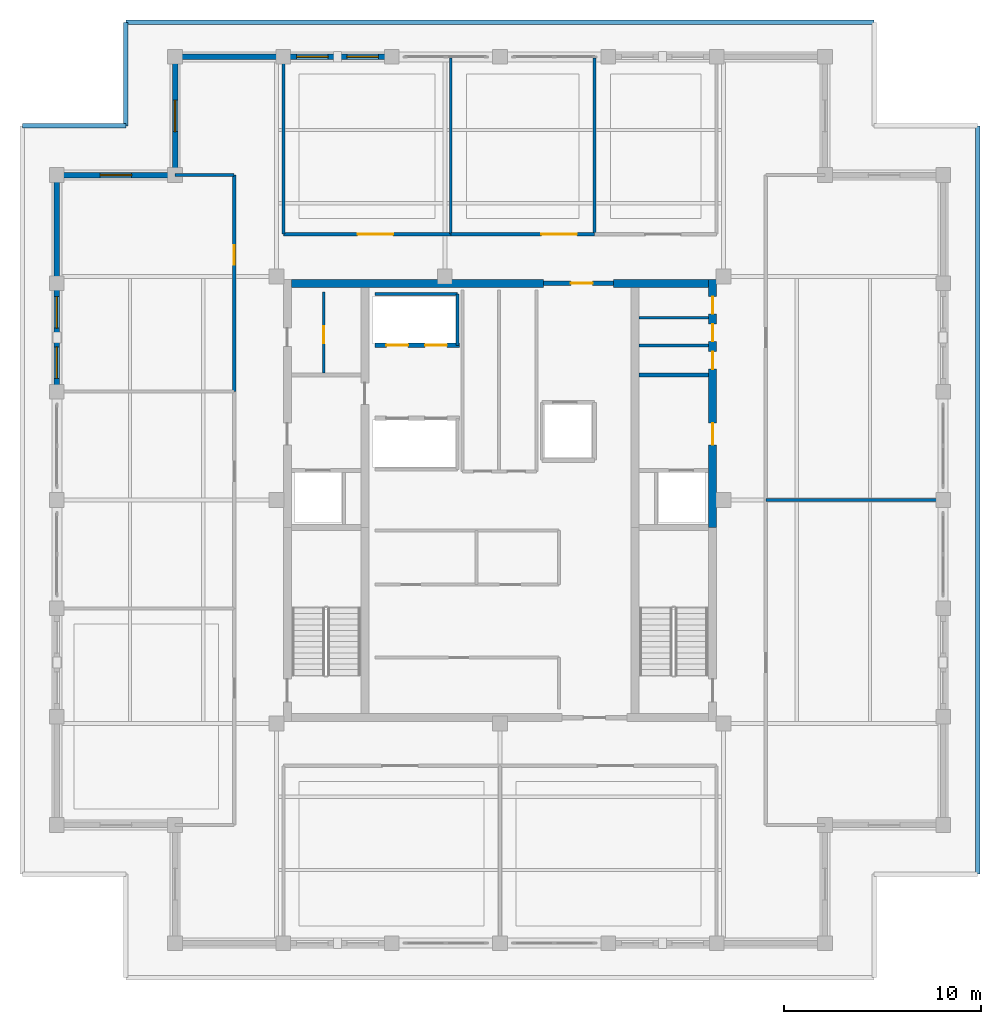
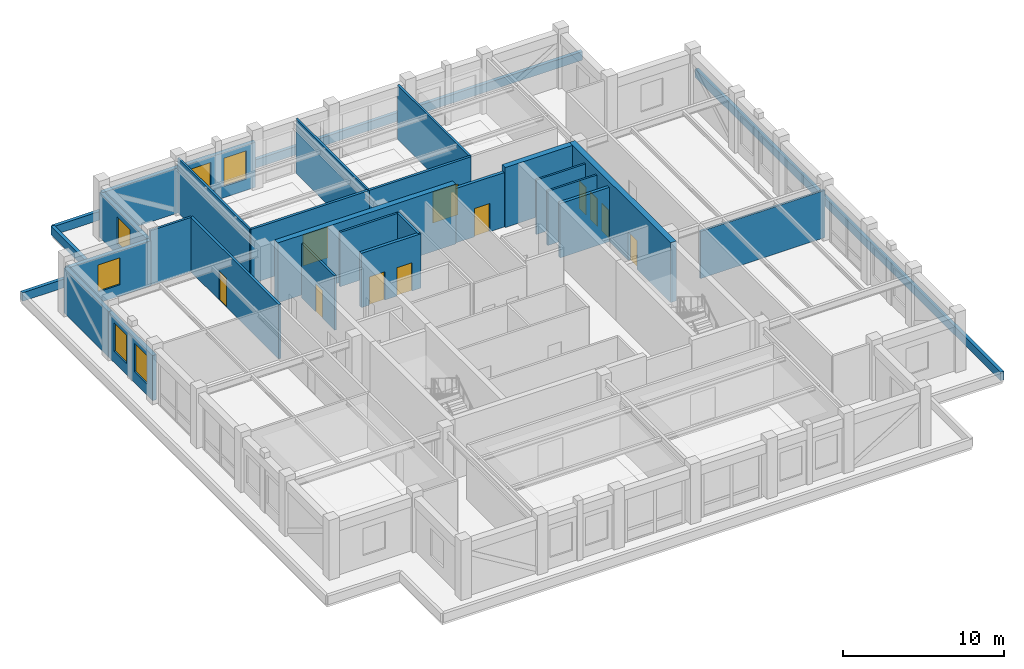
# One storey, part 9 of 13: 29 walls, 11 doors, 6 windows, 17 openings.
"""IFC4 building model written with IfcOpenShell, lengths in metres."""

from ifc_helpers import new_model, si_unit, direction, frame, frame_2d, origin, place, context, subcontext, project, spatial, rectangle, extrude, material, layer, layer_set, type_object, element, fill, save


model = new_model("IFC4")

# Units and contexts
model_context = context("Model", 3, precision=1e-05, world=origin(), true_north=direction((0.0, 1.0)))
body_context = subcontext(model_context, "Body", "Model", "MODEL_VIEW")
ifc_project = project(units=[si_unit("LENGTHUNIT", "METRE"), si_unit("AREAUNIT", "SQUARE_METRE"), si_unit("VOLUMEUNIT", "CUBIC_METRE"), si_unit("PLANEANGLEUNIT", "RADIAN"), si_unit("MASSUNIT", "GRAM", prefix="KILO")], contexts=[model_context])

# Site, building, storey
site_placement = place(None, origin())
site = spatial("IfcSite", under=ifc_project, at=site_placement, CompositionType="ELEMENT")
building_placement = place(site_placement, origin())
building = spatial("IfcBuilding", under=site, at=building_placement, Name="Nhamokura Convention Tower", CompositionType="ELEMENT")
storey_placement = place(building_placement, frame((0.0, 0.0, 257.60009765625)))
storey = spatial("IfcBuildingStorey", under=building, at=storey_placement, Name="L63", CompositionType="ELEMENT", Elevation=257.60009765625)

# Wall, opening, door
ifc_material_1 = material(Name="Moisture-resistant tile-backer partition", Category="masonry")
ifc_layer_1 = layer(ifc_material_1, 0.139892578125)
ifc_layer_set_1 = layer_set([ifc_layer_1], Name="BathroomWetWall_140")
wall_type_1 = type_object("IfcWallType", Name="BathroomWetWall_140", PredefinedType="STANDARD", material=ifc_layer_set_1)
wall_1_placement = place(storey_placement, frame((23.050048828125, 38.449951171875, 0.0), z_axis=(0.0, 0.0, 1.0), x_axis=(0.0, 1.0, 0.0)))
wall_1 = element("IfcWall", 1, at=wall_1_placement, inside=storey, type_object=wall_type_1, Name="L63 Wall INT-L63-CWNWV", PredefinedType="STANDARD", context=body_context, shape_type="SweptSolid", body=[
    extrude(rectangle(XDim=4.10009765625, YDim=0.139892578125, at=frame_2d((2.050048828125, 0.0))), origin(), (0.0, 0.0, 1.0), 4.1298828125),
])
opening_1_placement = place(wall_1_placement, frame((1.5, 0.0, 0.0)))
opening_1 = element("IfcOpeningElement", 2, at=opening_1_placement, cuts=wall_1, Name="Opening D-11", PredefinedType="OPENING", context=body_context, shape_type="SweptSolid", body=[
    extrude(rectangle(XDim=0.8798828125, YDim=2.10009765625, at=frame_2d((0.43994140625, 1.050048828125))), frame((0.0, 0.079833984375, 0.0), z_axis=(0.0, -1.0, 0.0), x_axis=(1.0, 0.0, 0.0)), (0.0, 0.0, 1.0), 0.159912109375),
])
ifc_material_2 = material(Name="Solid oak hardwood", Category="wood")
door_type_1 = type_object("IfcDoorType", Name="BathroomDoor_880", OperationType="NOTDEFINED", PredefinedType="DOOR", material=ifc_material_2)
door_1_placement = place(opening_1_placement, origin())
door_1 = element("IfcDoor", 3, at=door_1_placement, inside=storey, type_object=door_type_1, Name="L63 Inner Store Door", OperationType="SINGLE_SWING_LEFT", OverallHeight=2.10009765625, OverallWidth=0.8798828125, PredefinedType="DOOR", context=body_context, shape_type="SweptSolid", body=[
    extrude(rectangle(XDim=0.8798828125, YDim=2.10009765625, at=frame_2d((0.43994140625, 1.050048828125))), frame((0.0, 0.02490234375, 0.0), z_axis=(0.0, -1.0, 0.0), x_axis=(1.0, 0.0, 0.0)), (0.0, 0.0, 1.0), 0.050048828125),
])
fill(opening_1, door_1)

# Walls
for number, where, z_axis, x_axis, name in (
    (4, (39.06005859375, 39.85009765625, 0.0), (0.0, 0.0, 1.0), (1.0, 0.0, 0.0), "L63 Wall INT-L63-CWNE1"),
    (5, (39.06005859375, 41.25, 0.0), (0.0, 0.0, 1.0), (1.0, 0.0, 0.0), "L63 Wall INT-L63-CWNE2"),
):
    element("IfcWall", number, at=place(storey_placement, frame(where, z_axis=z_axis, x_axis=x_axis)), inside=storey, type_object=wall_type_1, Name=name, PredefinedType="STANDARD", context=body_context, shape_type="SweptSolid", body=[
        extrude(rectangle(XDim=3.530029296875, YDim=0.139892578125, at=frame_2d((1.76513671875, 0.0))), origin(), (0.0, 0.0, 1.0), 4.1298828125),
    ])
ifc_material_3 = material(Name="Bronze-pigmented precast concrete C45/55", Category="concrete")
ifc_layer_2 = layer(ifc_material_3, 0.280029296875)
ifc_layer_set_2 = layer_set([ifc_layer_2], Name="BronzePrecastSpandrel_280")
wall_type_2 = type_object("IfcWallType", Name="BronzePrecastSpandrel_280", PredefinedType="USERDEFINED", material=ifc_layer_set_2)
wall_2_placement = place(storey_placement, frame((15.5, 54.5, 0.0), z_axis=(0.0, 0.0, 1.0), x_axis=(1.0, 0.0, 0.0)))
element("IfcWall", 6, at=wall_2_placement, inside=storey, type_object=wall_type_2, Name="L63 Braced-Bay Precast Wall NORTH 0", ObjectType="SPANDREL_WALL", PredefinedType="USERDEFINED", context=body_context, shape_type="SweptSolid", body=[
    extrude(rectangle(XDim=5.5, YDim=0.280029296875, at=frame_2d((2.75, 0.0))), origin(), (0.0, 0.0, 1.0), 3.429931640625),
])

# Wall, openings, windows
wall_3_placement = place(storey_placement, frame((21.0, 54.5, 0.0), z_axis=(0.0, 0.0, 1.0), x_axis=(1.0, 0.0, 0.0)))
wall_3 = element("IfcWall", 7, at=wall_3_placement, inside=storey, type_object=wall_type_2, Name="L63 Masonry-Frame Wall NORTH 1", ObjectType="SPANDREL_WALL", PredefinedType="USERDEFINED", context=body_context, shape_type="SweptSolid", body=[
    extrude(rectangle(XDim=5.5, YDim=0.280029296875, at=frame_2d((2.75, 0.0))), origin(), (0.0, 0.0, 1.0), 3.429931640625),
])
opening_2_placement = place(wall_3_placement, frame((0.675048828125, 0.0, 0.85009765625)))
opening_2 = element("IfcOpeningElement", 8, at=opening_2_placement, cuts=wall_3, Name="Opening W-11", PredefinedType="OPENING", context=body_context, shape_type="SweptSolid", body=[
    extrude(rectangle(XDim=1.60009765625, YDim=2.14990234375, at=frame_2d((0.800048828125, 1.074951171875))), frame((0.0, 0.14990234375, 0.0), z_axis=(0.0, -1.0, 0.0), x_axis=(1.0, 0.0, 0.0)), (0.0, 0.0, 1.0), 0.300048828125),
])
opening_3_placement = place(wall_3_placement, frame((3.22509765625, 0.0, 0.85009765625)))
opening_3 = element("IfcOpeningElement", 9, at=opening_3_placement, cuts=wall_3, Name="Opening W-11", PredefinedType="OPENING", context=body_context, shape_type="SweptSolid", body=[
    extrude(rectangle(XDim=1.60009765625, YDim=2.14990234375, at=frame_2d((0.800048828125, 1.074951171875))), frame((0.0, 0.14990234375, 0.0), z_axis=(0.0, -1.0, 0.0), x_axis=(1.0, 0.0, 0.0)), (0.0, 0.0, 1.0), 0.300048828125),
])
ifc_material_4 = material(Name="Solar-control bronze low-E double glass", Category="glass")
window_type = type_object("IfcWindowType", Name="NotchCornerWindow_1600", PartitioningType="SINGLE_PANEL", PredefinedType="WINDOW", material=ifc_material_4)
window_1_placement = place(opening_2_placement, origin())
window_1 = element("IfcWindow", 10, at=window_1_placement, inside=storey, type_object=window_type, Name="L63 Facade Window NORTH 1-1", OverallHeight=2.14990234375, OverallWidth=1.60009765625, PartitioningType="SINGLE_PANEL", PredefinedType="WINDOW", context=body_context, shape_type="SweptSolid", body=[
    extrude(rectangle(XDim=1.60009765625, YDim=2.14990234375, at=frame_2d((0.800048828125, 1.074951171875))), frame((0.0, 0.030029296875, 0.0), z_axis=(0.0, -1.0, 0.0), x_axis=(1.0, 0.0, 0.0)), (0.0, 0.0, 1.0), 0.06005859375),
])
fill(opening_2, window_1)
window_2_placement = place(opening_3_placement, origin())
window_2 = element("IfcWindow", 11, at=window_2_placement, inside=storey, type_object=window_type, Name="L63 Facade Window NORTH 1-2", OverallHeight=2.14990234375, OverallWidth=1.60009765625, PartitioningType="SINGLE_PANEL", PredefinedType="WINDOW", context=body_context, shape_type="SweptSolid", body=[
    extrude(rectangle(XDim=1.60009765625, YDim=2.14990234375, at=frame_2d((0.800048828125, 1.074951171875))), frame((0.0, 0.030029296875, 0.0), z_axis=(0.0, -1.0, 0.0), x_axis=(1.0, 0.0, 0.0)), (0.0, 0.0, 1.0), 0.06005859375),
])
fill(opening_3, window_2)

wall_4_placement = place(storey_placement, frame((9.5, 37.5, 0.0), z_axis=(0.0, 0.0, 1.0), x_axis=(0.0, 1.0, 0.0)))
wall_4 = element("IfcWall", 12, at=wall_4_placement, inside=storey, type_object=wall_type_2, Name="L63 Masonry-Frame Wall WEST 4", ObjectType="SPANDREL_WALL", PredefinedType="USERDEFINED", context=body_context, shape_type="SweptSolid", body=[
    extrude(rectangle(XDim=5.5, YDim=0.280029296875, at=frame_2d((2.75, 0.0))), origin(), (0.0, 0.0, 1.0), 3.429931640625),
])
opening_4_placement = place(wall_4_placement, frame((0.675048828125, 0.0, 0.85009765625)))
opening_4 = element("IfcOpeningElement", 13, at=opening_4_placement, cuts=wall_4, Name="Opening W-11", PredefinedType="OPENING", context=body_context, shape_type="SweptSolid", body=[
    extrude(rectangle(XDim=1.60009765625, YDim=2.14990234375, at=frame_2d((0.800048828125, 1.074951171875))), frame((0.0, 0.14990234375, 0.0), z_axis=(0.0, -1.0, 0.0), x_axis=(1.0, 0.0, 0.0)), (0.0, 0.0, 1.0), 0.300048828125),
])
opening_5_placement = place(wall_4_placement, frame((3.22509765625, 0.0, 0.85009765625)))
opening_5 = element("IfcOpeningElement", 14, at=opening_5_placement, cuts=wall_4, Name="Opening W-11", PredefinedType="OPENING", context=body_context, shape_type="SweptSolid", body=[
    extrude(rectangle(XDim=1.60009765625, YDim=2.14990234375, at=frame_2d((0.800048828125, 1.074951171875))), frame((0.0, 0.14990234375, 0.0), z_axis=(0.0, -1.0, 0.0), x_axis=(1.0, 0.0, 0.0)), (0.0, 0.0, 1.0), 0.300048828125),
])
window_3_placement = place(opening_4_placement, origin())
window_3 = element("IfcWindow", 15, at=window_3_placement, inside=storey, type_object=window_type, Name="L63 Facade Window WEST 4-1", OverallHeight=2.14990234375, OverallWidth=1.60009765625, PartitioningType="SINGLE_PANEL", PredefinedType="WINDOW", context=body_context, shape_type="SweptSolid", body=[
    extrude(rectangle(XDim=1.60009765625, YDim=2.14990234375, at=frame_2d((0.800048828125, 1.074951171875))), frame((0.0, 0.030029296875, 0.0), z_axis=(0.0, -1.0, 0.0), x_axis=(1.0, 0.0, 0.0)), (0.0, 0.0, 1.0), 0.06005859375),
])
fill(opening_4, window_3)
window_4_placement = place(opening_5_placement, origin())
window_4 = element("IfcWindow", 16, at=window_4_placement, inside=storey, type_object=window_type, Name="L63 Facade Window WEST 4-2", OverallHeight=2.14990234375, OverallWidth=1.60009765625, PartitioningType="SINGLE_PANEL", PredefinedType="WINDOW", context=body_context, shape_type="SweptSolid", body=[
    extrude(rectangle(XDim=1.60009765625, YDim=2.14990234375, at=frame_2d((0.800048828125, 1.074951171875))), frame((0.0, 0.030029296875, 0.0), z_axis=(0.0, -1.0, 0.0), x_axis=(1.0, 0.0, 0.0)), (0.0, 0.0, 1.0), 0.06005859375),
])
fill(opening_5, window_4)

# Wall
wall_5_placement = place(storey_placement, frame((9.5, 43.0, 0.0), z_axis=(0.0, 0.0, 1.0), x_axis=(0.0, 1.0, 0.0)))
element("IfcWall", 17, at=wall_5_placement, inside=storey, type_object=wall_type_2, Name="L63 Braced-Bay Precast Wall WEST 5", ObjectType="SPANDREL_WALL", PredefinedType="USERDEFINED", context=body_context, shape_type="SweptSolid", body=[
    extrude(rectangle(XDim=5.5, YDim=0.280029296875, at=frame_2d((2.75, 0.0))), origin(), (0.0, 0.0, 1.0), 3.429931640625),
])

# Wall, opening, window
wall_6_placement = place(storey_placement, frame((15.5, 48.5, 0.0), z_axis=(0.0, 0.0, 1.0), x_axis=(0.0, 1.0, 0.0)))
wall_6 = element("IfcWall", 18, at=wall_6_placement, inside=storey, type_object=wall_type_2, Name="L63 Notched Corner Wall NW1", ObjectType="SPANDREL_WALL", PredefinedType="USERDEFINED", context=body_context, shape_type="SweptSolid", body=[
    extrude(rectangle(XDim=6.0, YDim=0.280029296875, at=frame_2d((3.0, 0.0))), origin(), (0.0, 0.0, 1.0), 3.429931640625),
])
opening_6_placement = place(wall_6_placement, frame((2.199951171875, 0.0, 0.85009765625)))
opening_6 = element("IfcOpeningElement", 19, at=opening_6_placement, cuts=wall_6, Name="Opening W-11", PredefinedType="OPENING", context=body_context, shape_type="SweptSolid", body=[
    extrude(rectangle(XDim=1.60009765625, YDim=2.050048828125, at=frame_2d((0.800048828125, 1.02490234375))), frame((0.0, 0.14990234375, 0.0), z_axis=(0.0, -1.0, 0.0), x_axis=(1.0, 0.0, 0.0)), (0.0, 0.0, 1.0), 0.300048828125),
])
window_5_placement = place(opening_6_placement, origin())
window_5 = element("IfcWindow", 20, at=window_5_placement, inside=storey, type_object=window_type, Name="L63 Notched Corner Window NW1", OverallHeight=2.050048828125, OverallWidth=1.60009765625, PartitioningType="SINGLE_PANEL", PredefinedType="WINDOW", context=body_context, shape_type="SweptSolid", body=[
    extrude(rectangle(XDim=1.60009765625, YDim=2.050048828125, at=frame_2d((0.800048828125, 1.02490234375))), frame((0.0, 0.030029296875, 0.0), z_axis=(0.0, -1.0, 0.0), x_axis=(1.0, 0.0, 0.0)), (0.0, 0.0, 1.0), 0.06005859375),
])
fill(opening_6, window_5)

wall_7_placement = place(storey_placement, frame((9.5, 48.5, 0.0), z_axis=(0.0, 0.0, 1.0), x_axis=(1.0, 0.0, 0.0)))
wall_7 = element("IfcWall", 21, at=wall_7_placement, inside=storey, type_object=wall_type_2, Name="L63 Notched Corner Wall NW2", ObjectType="SPANDREL_WALL", PredefinedType="USERDEFINED", context=body_context, shape_type="SweptSolid", body=[
    extrude(rectangle(XDim=6.0, YDim=0.280029296875, at=frame_2d((3.0, 0.0))), origin(), (0.0, 0.0, 1.0), 3.429931640625),
])
opening_7_placement = place(wall_7_placement, frame((2.199951171875, 0.0, 0.85009765625)))
opening_7 = element("IfcOpeningElement", 22, at=opening_7_placement, cuts=wall_7, Name="Opening W-11", PredefinedType="OPENING", context=body_context, shape_type="SweptSolid", body=[
    extrude(rectangle(XDim=1.60009765625, YDim=2.050048828125, at=frame_2d((0.800048828125, 1.02490234375))), frame((0.0, 0.14990234375, 0.0), z_axis=(0.0, -1.0, 0.0), x_axis=(1.0, 0.0, 0.0)), (0.0, 0.0, 1.0), 0.300048828125),
])
window_6_placement = place(opening_7_placement, origin())
window_6 = element("IfcWindow", 23, at=window_6_placement, inside=storey, type_object=window_type, Name="L63 Notched Corner Window NW2", OverallHeight=2.050048828125, OverallWidth=1.60009765625, PartitioningType="SINGLE_PANEL", PredefinedType="WINDOW", context=body_context, shape_type="SweptSolid", body=[
    extrude(rectangle(XDim=1.60009765625, YDim=2.050048828125, at=frame_2d((0.800048828125, 1.02490234375))), frame((0.0, 0.030029296875, 0.0), z_axis=(0.0, -1.0, 0.0), x_axis=(1.0, 0.0, 0.0)), (0.0, 0.0, 1.0), 0.06005859375),
])
fill(opening_7, window_6)

# Wall, openings, doors
ifc_material_5 = material(Name="Concrete C50/60", Category="concrete")
ifc_layer_3 = layer(ifc_material_5, 0.39990234375)
ifc_layer_set_3 = layer_set([ifc_layer_3], Name="CoreShearWall_400")
wall_type_3 = type_object("IfcWallType", Name="CoreShearWall_400", PredefinedType="SHEAR", material=ifc_layer_set_3)
wall_8_placement = place(storey_placement, frame((42.7900390625, 30.60009765625, 0.0), z_axis=(0.0, 0.0, 1.0), x_axis=(0.0, 1.0, 0.0)))
wall_8 = element("IfcWall", 24, at=wall_8_placement, inside=storey, type_object=wall_type_3, Name="L63 Core Shear Wall CW-EN", PredefinedType="SHEAR", context=body_context, shape_type="SweptSolid", body=[
    extrude(rectangle(XDim=12.599853515625, YDim=0.39990234375, at=frame_2d((6.2998046875, 0.0))), origin(), (0.0, 0.0, 1.0), 4.5498046875),
])
opening_8_placement = place(wall_8_placement, frame((4.199951171875, 0.0, 0.0)))
opening_8 = element("IfcOpeningElement", 25, at=opening_8_placement, cuts=wall_8, Name="Opening D-05", PredefinedType="OPENING", context=body_context, shape_type="SweptSolid", body=[
    extrude(rectangle(XDim=1.10009765625, YDim=2.14990234375, at=frame_2d((0.550048828125, 1.074951171875))), frame((0.0, 0.2099609375, 0.0), z_axis=(0.0, -1.0, 0.0), x_axis=(1.0, 0.0, 0.0)), (0.0, 0.0, 1.0), 0.419921875),
])
opening_9_placement = place(wall_8_placement, frame((8.050048828125, 0.0, 0.0)))
opening_9 = element("IfcOpeningElement", 26, at=opening_9_placement, cuts=wall_8, Name="Opening D-11", PredefinedType="OPENING", context=body_context, shape_type="SweptSolid", body=[
    extrude(rectangle(XDim=0.8798828125, YDim=2.10009765625, at=frame_2d((0.43994140625, 1.050048828125))), frame((0.0, 0.2099609375, 0.0), z_axis=(0.0, -1.0, 0.0), x_axis=(1.0, 0.0, 0.0)), (0.0, 0.0, 1.0), 0.419921875),
])
opening_10_placement = place(wall_8_placement, frame((9.449951171875, 0.0, 0.0)))
opening_10 = element("IfcOpeningElement", 27, at=opening_10_placement, cuts=wall_8, Name="Opening D-11", PredefinedType="OPENING", context=body_context, shape_type="SweptSolid", body=[
    extrude(rectangle(XDim=0.8798828125, YDim=2.10009765625, at=frame_2d((0.43994140625, 1.050048828125))), frame((0.0, 0.2099609375, 0.0), z_axis=(0.0, -1.0, 0.0), x_axis=(1.0, 0.0, 0.0)), (0.0, 0.0, 1.0), 0.419921875),
])
opening_11_placement = place(wall_8_placement, frame((10.85009765625, 0.0, 0.0)))
opening_11 = element("IfcOpeningElement", 28, at=opening_11_placement, cuts=wall_8, Name="Opening D-11", PredefinedType="OPENING", context=body_context, shape_type="SweptSolid", body=[
    extrude(rectangle(XDim=0.8798828125, YDim=2.10009765625, at=frame_2d((0.43994140625, 1.050048828125))), frame((0.0, 0.2099609375, 0.0), z_axis=(0.0, -1.0, 0.0), x_axis=(1.0, 0.0, 0.0)), (0.0, 0.0, 1.0), 0.419921875),
])
door_2_placement = place(opening_9_placement, origin())
door_2 = element("IfcDoor", 29, at=door_2_placement, inside=storey, type_object=door_type_1, Name="L63 Core Door INT-L63-D-MWC", OperationType="SINGLE_SWING_LEFT", OverallHeight=2.10009765625, OverallWidth=0.8798828125, PredefinedType="DOOR", context=body_context, shape_type="SweptSolid", body=[
    extrude(rectangle(XDim=0.8798828125, YDim=2.10009765625, at=frame_2d((0.43994140625, 1.050048828125))), frame((0.0, 0.02490234375, 0.0), z_axis=(0.0, -1.0, 0.0), x_axis=(1.0, 0.0, 0.0)), (0.0, 0.0, 1.0), 0.050048828125),
])
fill(opening_9, door_2)
door_3_placement = place(opening_10_placement, origin())
door_3 = element("IfcDoor", 30, at=door_3_placement, inside=storey, type_object=door_type_1, Name="L63 Core Door INT-L63-D-FWC", OperationType="SINGLE_SWING_RIGHT", OverallHeight=2.10009765625, OverallWidth=0.8798828125, PredefinedType="DOOR", context=body_context, shape_type="SweptSolid", body=[
    extrude(rectangle(XDim=0.8798828125, YDim=2.10009765625, at=frame_2d((0.43994140625, 1.050048828125))), frame((0.0, 0.02490234375, 0.0), z_axis=(0.0, -1.0, 0.0), x_axis=(1.0, 0.0, 0.0)), (0.0, 0.0, 1.0), 0.050048828125),
])
fill(opening_10, door_3)
door_4_placement = place(opening_11_placement, origin())
door_4 = element("IfcDoor", 31, at=door_4_placement, inside=storey, type_object=door_type_1, Name="L63 Core Door INT-L63-D-ARC", OperationType="SINGLE_SWING_LEFT", OverallHeight=2.10009765625, OverallWidth=0.8798828125, PredefinedType="DOOR", context=body_context, shape_type="SweptSolid", body=[
    extrude(rectangle(XDim=0.8798828125, YDim=2.10009765625, at=frame_2d((0.43994140625, 1.050048828125))), frame((0.0, 0.02490234375, 0.0), z_axis=(0.0, -1.0, 0.0), x_axis=(1.0, 0.0, 0.0)), (0.0, 0.0, 1.0), 0.050048828125),
])
fill(opening_11, door_4)
ifc_material_6 = material(Name="Fire-rated steel door", Category="steel")
door_type_2 = type_object("IfcDoorType", Name="FireLobbyDoor_1100", OperationType="NOTDEFINED", PredefinedType="DOOR", material=ifc_material_6)
door_5_placement = place(opening_8_placement, origin())
door_5 = element("IfcDoor", 32, at=door_5_placement, inside=storey, type_object=door_type_2, Name="L63 Core Door INT-L63-D-FFLE", OperationType="SINGLE_SWING_LEFT", OverallHeight=2.14990234375, OverallWidth=1.10009765625, PredefinedType="DOOR", context=body_context, shape_type="SweptSolid", body=[
    extrude(rectangle(XDim=1.10009765625, YDim=2.14990234375, at=frame_2d((0.550048828125, 1.074951171875))), frame((0.0, 0.02490234375, 0.0), z_axis=(0.0, -1.0, 0.0), x_axis=(1.0, 0.0, 0.0)), (0.0, 0.0, 1.0), 0.050048828125),
])
fill(opening_8, door_5)

# Walls
wall_9_placement = place(storey_placement, frame((21.409912109375, 43.0, 0.0), z_axis=(0.0, 0.0, 1.0), x_axis=(1.0, 0.0, 0.0)))
element("IfcWall", 33, at=wall_9_placement, inside=storey, type_object=wall_type_3, Name="L63 Core Shear Wall CW-N1", PredefinedType="SHEAR", context=body_context, shape_type="SweptSolid", body=[
    extrude(rectangle(XDim=12.7900390625, YDim=0.39990234375, at=frame_2d((6.39501953125, 0.0))), origin(), (0.0, 0.0, 1.0), 4.5498046875),
])
wall_10_placement = place(storey_placement, frame((37.75, 43.0, 0.0), z_axis=(0.0, 0.0, 1.0), x_axis=(1.0, 0.0, 0.0)))
element("IfcWall", 34, at=wall_10_placement, inside=storey, type_object=wall_type_3, Name="L63 Core Shear Wall CW-N2", PredefinedType="SHEAR", context=body_context, shape_type="SweptSolid", body=[
    extrude(rectangle(XDim=4.840087890625, YDim=0.39990234375, at=frame_2d((2.419921875, 0.0))), origin(), (0.0, 0.0, 1.0), 4.5498046875),
])

# Wall, opening, door
ifc_material_7 = material(Name="Fire-rated gypsum and masonry partition", Category="masonry")
ifc_layer_4 = layer(ifc_material_7, 0.179931640625)
ifc_layer_set_4 = layer_set([ifc_layer_4], Name="CorridorRatedWall_180")
wall_type_4 = type_object("IfcWallType", Name="CorridorRatedWall_180", PredefinedType="STANDARD", material=ifc_layer_set_4)
wall_11_placement = place(storey_placement, frame((21.0, 45.5, 0.0), z_axis=(0.0, 0.0, 1.0), x_axis=(1.0, 0.0, 0.0)))
wall_11 = element("IfcWall", 35, at=wall_11_placement, inside=storey, type_object=wall_type_4, Name="L63 Wall INT-L63-CW-N00", PredefinedType="STANDARD", context=body_context, shape_type="SweptSolid", body=[
    extrude(rectangle(XDim=8.5, YDim=0.179931640625, at=frame_2d((4.25, 0.0))), origin(), (0.0, 0.0, 1.0), 4.1298828125),
])
opening_12_placement = place(wall_11_placement, frame((3.77490234375, 0.0, 0.0)))
opening_12 = element("IfcOpeningElement", 36, at=opening_12_placement, cuts=wall_11, Name="Opening D-03", PredefinedType="OPENING", context=body_context, shape_type="SweptSolid", body=[
    extrude(rectangle(XDim=1.800048828125, YDim=2.35009765625, at=frame_2d((0.89990234375, 1.175048828125))), frame((0.0, 0.099853515625, 0.0), z_axis=(0.0, -1.0, 0.0), x_axis=(1.0, 0.0, 0.0)), (0.0, 0.0, 1.0), 0.199951171875),
])
ifc_material_8 = material(Name="Solid oak hardwood", Category="wood")
door_type_3 = type_object("IfcDoorType", Name="BallroomDoubleDoor_1800", OperationType="DOUBLE_DOOR_SINGLE_SWING", PredefinedType="DOOR", material=ifc_material_8)
door_6_placement = place(opening_12_placement, origin())
door_6 = element("IfcDoor", 37, at=door_6_placement, inside=storey, type_object=door_type_3, Name="L63 Private Office N01 Door", OperationType="SINGLE_SWING_LEFT", OverallHeight=2.35009765625, OverallWidth=1.800048828125, PredefinedType="DOOR", context=body_context, shape_type="SweptSolid", body=[
    extrude(rectangle(XDim=1.800048828125, YDim=2.35009765625, at=frame_2d((0.89990234375, 1.175048828125))), frame((0.0, 0.02490234375, 0.0), z_axis=(0.0, -1.0, 0.0), x_axis=(1.0, 0.0, 0.0)), (0.0, 0.0, 1.0), 0.050048828125),
])
fill(opening_12, door_6)

wall_12_placement = place(storey_placement, frame((29.5, 45.5, 0.0), z_axis=(0.0, 0.0, 1.0), x_axis=(1.0, 0.0, 0.0)))
wall_12 = element("IfcWall", 38, at=wall_12_placement, inside=storey, type_object=wall_type_4, Name="L63 Wall INT-L63-CW-N01", PredefinedType="STANDARD", context=body_context, shape_type="SweptSolid", body=[
    extrude(rectangle(XDim=7.300048828125, YDim=0.179931640625, at=frame_2d((3.64990234375, 0.0))), origin(), (0.0, 0.0, 1.0), 4.1298828125),
])
opening_13_placement = place(wall_12_placement, frame((4.60009765625, 0.0, 0.0)))
opening_13 = element("IfcOpeningElement", 39, at=opening_13_placement, cuts=wall_12, Name="Opening D-03", PredefinedType="OPENING", context=body_context, shape_type="SweptSolid", body=[
    extrude(rectangle(XDim=1.800048828125, YDim=2.35009765625, at=frame_2d((0.89990234375, 1.175048828125))), frame((0.0, 0.099853515625, 0.0), z_axis=(0.0, -1.0, 0.0), x_axis=(1.0, 0.0, 0.0)), (0.0, 0.0, 1.0), 0.199951171875),
])
door_7_placement = place(opening_13_placement, origin())
door_7 = element("IfcDoor", 40, at=door_7_placement, inside=storey, type_object=door_type_3, Name="L63 Meeting Room N02 Door", OperationType="SINGLE_SWING_RIGHT", OverallHeight=2.35009765625, OverallWidth=1.800048828125, PredefinedType="DOOR", context=body_context, shape_type="SweptSolid", body=[
    extrude(rectangle(XDim=1.800048828125, YDim=2.35009765625, at=frame_2d((0.89990234375, 1.175048828125))), frame((0.0, 0.02490234375, 0.0), z_axis=(0.0, -1.0, 0.0), x_axis=(1.0, 0.0, 0.0)), (0.0, 0.0, 1.0), 0.050048828125),
])
fill(opening_13, door_7)

wall_13_placement = place(storey_placement, frame((18.5, 37.5, 0.0), z_axis=(0.0, 0.0, 1.0), x_axis=(0.0, 1.0, 0.0)))
wall_13 = element("IfcWall", 41, at=wall_13_placement, inside=storey, type_object=wall_type_4, Name="L63 Wall INT-L63-CW-W02", PredefinedType="STANDARD", context=body_context, shape_type="SweptSolid", body=[
    extrude(rectangle(XDim=11.0, YDim=0.179931640625, at=frame_2d((5.5, 0.0))), origin(), (0.0, 0.0, 1.0), 4.1298828125),
])
opening_14_placement = place(wall_13_placement, frame((6.449951171875, 0.0, 0.0)))
opening_14 = element("IfcOpeningElement", 42, at=opening_14_placement, cuts=wall_13, Name="Opening D-08", PredefinedType="OPENING", context=body_context, shape_type="SweptSolid", body=[
    extrude(rectangle(XDim=0.97998046875, YDim=2.199951171875, at=frame_2d((0.489990234375, 1.10009765625))), frame((0.0, 0.099853515625, 0.0), z_axis=(0.0, -1.0, 0.0), x_axis=(1.0, 0.0, 0.0)), (0.0, 0.0, 1.0), 0.199951171875),
])
ifc_material_9 = material(Name="Solid oak hardwood", Category="wood")
door_type_4 = type_object("IfcDoorType", Name="OfficeEntryDoor_980", OperationType="NOTDEFINED", PredefinedType="DOOR", material=ifc_material_9)
door_8_placement = place(opening_14_placement, origin())
door_8 = element("IfcDoor", 43, at=door_8_placement, inside=storey, type_object=door_type_4, Name="L63 Private Office W03 Door", OperationType="SINGLE_SWING_LEFT", OverallHeight=2.199951171875, OverallWidth=0.97998046875, PredefinedType="DOOR", context=body_context, shape_type="SweptSolid", body=[
    extrude(rectangle(XDim=0.97998046875, YDim=2.199951171875, at=frame_2d((0.489990234375, 1.10009765625))), frame((0.0, 0.02490234375, 0.0), z_axis=(0.0, -1.0, 0.0), x_axis=(1.0, 0.0, 0.0)), (0.0, 0.0, 1.0), 0.050048828125),
])
fill(opening_14, door_8)

# Wall
ifc_material_10 = material(Name="Autoclaved concrete blockwork", Category="masonry")
ifc_layer_5 = layer(ifc_material_10, 0.219970703125)
ifc_layer_set_5 = layer_set([ifc_layer_5], Name="FireLobbyWall_220")
wall_type_5 = type_object("IfcWallType", Name="FireLobbyWall_220", PredefinedType="STANDARD", material=ifc_layer_set_5)
wall_14_placement = place(storey_placement, frame((39.06005859375, 38.35009765625, 0.0), z_axis=(0.0, 0.0, 1.0), x_axis=(1.0, 0.0, 0.0)))
element("IfcWall", 44, at=wall_14_placement, inside=storey, type_object=wall_type_5, Name="L63 Wall INT-L63-FFE-N", PredefinedType="STANDARD", context=body_context, shape_type="SweptSolid", body=[
    extrude(rectangle(XDim=3.530029296875, YDim=0.219970703125, at=frame_2d((1.76513671875, 0.0))), origin(), (0.0, 0.0, 1.0), 4.1298828125),
])

# Wall, openings, doors
wall_15_placement = place(storey_placement, frame((25.64990234375, 39.85009765625, 0.0), z_axis=(0.0, 0.0, 1.0), x_axis=(1.0, 0.0, 0.0)))
wall_15 = element("IfcWall", 45, at=wall_15_placement, inside=storey, type_object=wall_type_5, Name="L63 Wall INT-L63-B3N", PredefinedType="STANDARD", context=body_context, shape_type="SweptSolid", body=[
    extrude(rectangle(XDim=4.300048828125, YDim=0.219970703125, at=frame_2d((2.14990234375, 0.0))), origin(), (0.0, 0.0, 1.0), 4.1298828125),
])
opening_15_placement = place(wall_15_placement, frame((0.580078125, 0.0, 0.0)))
opening_15 = element("IfcOpeningElement", 46, at=opening_15_placement, cuts=wall_15, Name="Opening LD-01", PredefinedType="OPENING", context=body_context, shape_type="SweptSolid", body=[
    extrude(rectangle(XDim=1.10009765625, YDim=2.14990234375, at=frame_2d((0.550048828125, 1.074951171875))), frame((0.0, 0.119873046875, 0.0), z_axis=(0.0, -1.0, 0.0), x_axis=(1.0, 0.0, 0.0)), (0.0, 0.0, 1.0), 0.239990234375),
])
opening_16_placement = place(wall_15_placement, frame((2.550048828125, 0.0, 0.0)))
opening_16 = element("IfcOpeningElement", 47, at=opening_16_placement, cuts=wall_15, Name="Opening LD-01", PredefinedType="OPENING", context=body_context, shape_type="SweptSolid", body=[
    extrude(rectangle(XDim=1.10009765625, YDim=2.14990234375, at=frame_2d((0.550048828125, 1.074951171875))), frame((0.0, 0.119873046875, 0.0), z_axis=(0.0, -1.0, 0.0), x_axis=(1.0, 0.0, 0.0)), (0.0, 0.0, 1.0), 0.239990234375),
])
ifc_material_11 = material(Name="Anodised bronze stainless steel", Category="steel")
door_type_5 = type_object("IfcDoorType", Name="LiftLandingDoor_Passenger", OperationType="DOUBLE_DOOR_SLIDING", PredefinedType="DOOR", material=ifc_material_11)
door_9_placement = place(opening_15_placement, origin())
door_9 = element("IfcDoor", 48, at=door_9_placement, inside=storey, type_object=door_type_5, Name="L63 Lift LP-11 Door", OperationType="DOUBLE_DOOR_SLIDING", OverallHeight=2.14990234375, OverallWidth=1.10009765625, PredefinedType="DOOR", context=body_context, shape_type="SweptSolid", body=[
    extrude(rectangle(XDim=1.10009765625, YDim=2.14990234375, at=frame_2d((0.550048828125, 1.074951171875))), frame((0.0, 0.02490234375, 0.0), z_axis=(0.0, -1.0, 0.0), x_axis=(1.0, 0.0, 0.0)), (0.0, 0.0, 1.0), 0.050048828125),
])
fill(opening_15, door_9)
door_10_placement = place(opening_16_placement, origin())
door_10 = element("IfcDoor", 49, at=door_10_placement, inside=storey, type_object=door_type_5, Name="L63 Lift LP-12 Door", OperationType="DOUBLE_DOOR_SLIDING", OverallHeight=2.14990234375, OverallWidth=1.10009765625, PredefinedType="DOOR", context=body_context, shape_type="SweptSolid", body=[
    extrude(rectangle(XDim=1.10009765625, YDim=2.14990234375, at=frame_2d((0.550048828125, 1.074951171875))), frame((0.0, 0.02490234375, 0.0), z_axis=(0.0, -1.0, 0.0), x_axis=(1.0, 0.0, 0.0)), (0.0, 0.0, 1.0), 0.050048828125),
])
fill(opening_16, door_10)

# Wall, opening, door
wall_16_placement = place(storey_placement, frame((34.199951171875, 43.0, 0.0), z_axis=(0.0, 0.0, 1.0), x_axis=(1.0, 0.0, 0.0)))
wall_16 = element("IfcWall", 50, at=wall_16_placement, inside=storey, type_object=wall_type_5, Name="L63 Wall INT-L63-CPORT-N", PredefinedType="STANDARD", context=body_context, shape_type="SweptSolid", body=[
    extrude(rectangle(XDim=3.550048828125, YDim=0.219970703125, at=frame_2d((1.77490234375, 0.0))), origin(), (0.0, 0.0, 1.0), 4.1298828125),
])
opening_17_placement = place(wall_16_placement, frame((1.39990234375, 0.0, 0.0)))
opening_17 = element("IfcOpeningElement", 51, at=opening_17_placement, cuts=wall_16, Name="Opening D-05", PredefinedType="OPENING", context=body_context, shape_type="SweptSolid", body=[
    extrude(rectangle(XDim=1.10009765625, YDim=2.14990234375, at=frame_2d((0.550048828125, 1.074951171875))), frame((0.0, 0.119873046875, 0.0), z_axis=(0.0, -1.0, 0.0), x_axis=(1.0, 0.0, 0.0)), (0.0, 0.0, 1.0), 0.239990234375),
])
door_11_placement = place(opening_17_placement, origin())
door_11 = element("IfcDoor", 52, at=door_11_placement, inside=storey, type_object=door_type_2, Name="L63 North Core Lobby Portal Door", OperationType="SINGLE_SWING_RIGHT", OverallHeight=2.14990234375, OverallWidth=1.10009765625, PredefinedType="DOOR", context=body_context, shape_type="SweptSolid", body=[
    extrude(rectangle(XDim=1.10009765625, YDim=2.14990234375, at=frame_2d((0.550048828125, 1.074951171875))), frame((0.0, 0.02490234375, 0.0), z_axis=(0.0, -1.0, 0.0), x_axis=(1.0, 0.0, 0.0)), (0.0, 0.0, 1.0), 0.050048828125),
])
fill(opening_17, door_11)

# Walls
ifc_material_12 = material(Name="Acoustic gypsum stud partition", Category="masonry")
ifc_layer_6 = layer(ifc_material_12, 0.14990234375)
ifc_layer_set_6 = layer_set([ifc_layer_6], Name="InteriorPartition_150")
wall_type_6 = type_object("IfcWallType", Name="InteriorPartition_150", PredefinedType="STANDARD", material=ifc_layer_set_6)
wall_17_placement = place(storey_placement, frame((25.64990234375, 42.449951171875, 0.0), z_axis=(0.0, 0.0, 1.0), x_axis=(1.0, 0.0, 0.0)))
element("IfcWall", 53, at=wall_17_placement, inside=storey, type_object=wall_type_6, Name="L63 Wall INT-L63-B3B-N", PredefinedType="STANDARD", context=body_context, shape_type="SweptSolid", body=[
    extrude(rectangle(XDim=4.2001953125, YDim=0.14990234375, at=frame_2d((2.10009765625, 0.0))), origin(), (0.0, 0.0, 1.0), 4.1298828125),
])
wall_18_placement = place(storey_placement, frame((29.85009765625, 39.85009765625, 0.0), z_axis=(0.0, 0.0, 1.0), x_axis=(0.0, 1.0, 0.0)))
element("IfcWall", 54, at=wall_18_placement, inside=storey, type_object=wall_type_6, Name="L63 Wall INT-L63-B3B-E", PredefinedType="STANDARD", context=body_context, shape_type="SweptSolid", body=[
    extrude(rectangle(XDim=2.599853515625, YDim=0.14990234375, at=frame_2d((1.2998046875, 0.0))), origin(), (0.0, 0.0, 1.0), 4.1298828125),
])
for number, where, z_axis, x_axis, name in (
    (55, (21.0, 45.5, 0.0), (0.0, 0.0, 1.0), (0.0, 1.0, 0.0), "L63 Wall INT-L63-RWL-N"),
    (56, (29.5, 45.5, 0.0), (0.0, 0.0, 1.0), (0.0, 1.0, 0.0), "L63 Wall INT-L63-RW-N01"),
    (57, (36.800048828125, 45.5, 0.0), (0.0, 0.0, 1.0), (0.0, 1.0, 0.0), "L63 Wall INT-L63-RW-N02"),
):
    element("IfcWall", number, at=place(storey_placement, frame(where, z_axis=z_axis, x_axis=x_axis)), inside=storey, type_object=wall_type_6, Name=name, PredefinedType="STANDARD", context=body_context, shape_type="SweptSolid", body=[
        extrude(rectangle(XDim=8.93994140625, YDim=0.14990234375, at=frame_2d((4.469970703125, 0.0))), origin(), (0.0, 0.0, 1.0), 4.1298828125),
    ])
wall_19_placement = place(storey_placement, frame((45.5, 32.0, 0.0), z_axis=(0.0, 0.0, 1.0), x_axis=(1.0, 0.0, 0.0)))
element("IfcWall", 58, at=wall_19_placement, inside=storey, type_object=wall_type_6, Name="L63 Wall INT-L63-RW-E01", PredefinedType="STANDARD", context=body_context, shape_type="SweptSolid", body=[
    extrude(rectangle(XDim=8.93994140625, YDim=0.14990234375, at=frame_2d((4.469970703125, 0.0))), origin(), (0.0, 0.0, 1.0), 3.5849609375),
])
wall_20_placement = place(storey_placement, frame((15.5, 48.5, 0.0), z_axis=(0.0, 0.0, 1.0), x_axis=(1.0, 0.0, 0.0)))
element("IfcWall", 59, at=wall_20_placement, inside=storey, type_object=wall_type_6, Name="L63 Wall INT-L63-VSTP-WN", PredefinedType="STANDARD", context=body_context, shape_type="SweptSolid", body=[
    extrude(rectangle(XDim=3.0, YDim=0.14990234375, at=frame_2d((1.5, 0.0))), origin(), (0.0, 0.0, 1.0), 4.1298828125),
])
ifc_material_13 = material(Name="Bronze-pigmented precast concrete C45/55", Category="concrete")
ifc_layer_7 = layer(ifc_material_13, 0.239990234375)
ifc_layer_set_7 = layer_set([ifc_layer_7], Name="TerraceParapet_240")
wall_type_7 = type_object("IfcWallType", Name="TerraceParapet_240", PredefinedType="PARAPET", material=ifc_layer_set_7)
for number, where, z_axis, x_axis, name in (
    (60, (56.25, 13.0, 0.0), (0.0, 0.0, 1.0), (0.0, 1.0, 0.0), "L63 Setback Roof Parapet 03"),
    (61, (51.0, 56.25, 0.0), (0.0, 0.0, 1.0), (-1.0, 0.0, 0.0), "L63 Setback Roof Parapet 06"),
):
    element("IfcWall", number, at=place(storey_placement, frame(where, z_axis=z_axis, x_axis=x_axis)), inside=storey, type_object=wall_type_7, Name=name, PredefinedType="PARAPET", context=body_context, shape_type="SweptSolid", body=[
        extrude(rectangle(XDim=38.0, YDim=0.239990234375, at=frame_2d((19.0, 0.0))), origin(), (0.0, 0.0, 1.0), 0.64990234375),
    ])
for number, where, z_axis, x_axis, name in (
    (62, (13.0, 56.25, 0.0), (0.0, 0.0, 1.0), (0.0, -1.0, 0.0), "L63 Setback Roof Parapet 07"),
    (63, (13.0, 51.0, 0.0), (0.0, 0.0, 1.0), (-1.0, 0.0, 0.0), "L63 Setback Roof Parapet 08"),
):
    element("IfcWall", number, at=place(storey_placement, frame(where, z_axis=z_axis, x_axis=x_axis)), inside=storey, type_object=wall_type_7, Name=name, PredefinedType="PARAPET", context=body_context, shape_type="SweptSolid", body=[
        extrude(rectangle(XDim=5.25, YDim=0.239990234375, at=frame_2d((2.625, 0.0))), origin(), (0.0, 0.0, 1.0), 0.64990234375),
    ])

save(model, "model.ifc")
